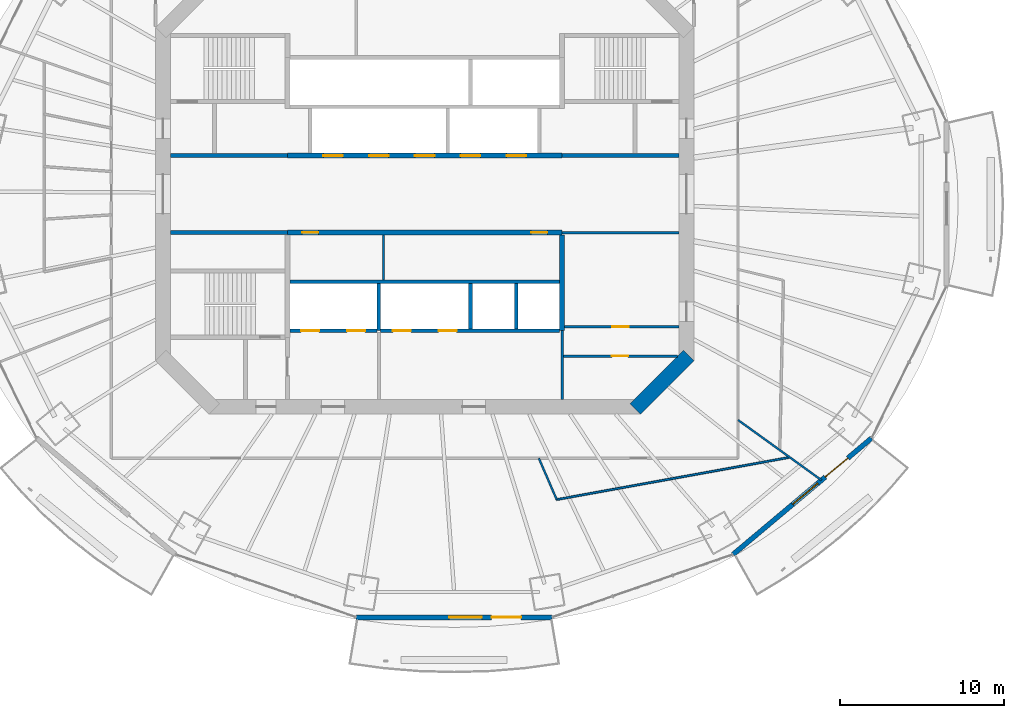
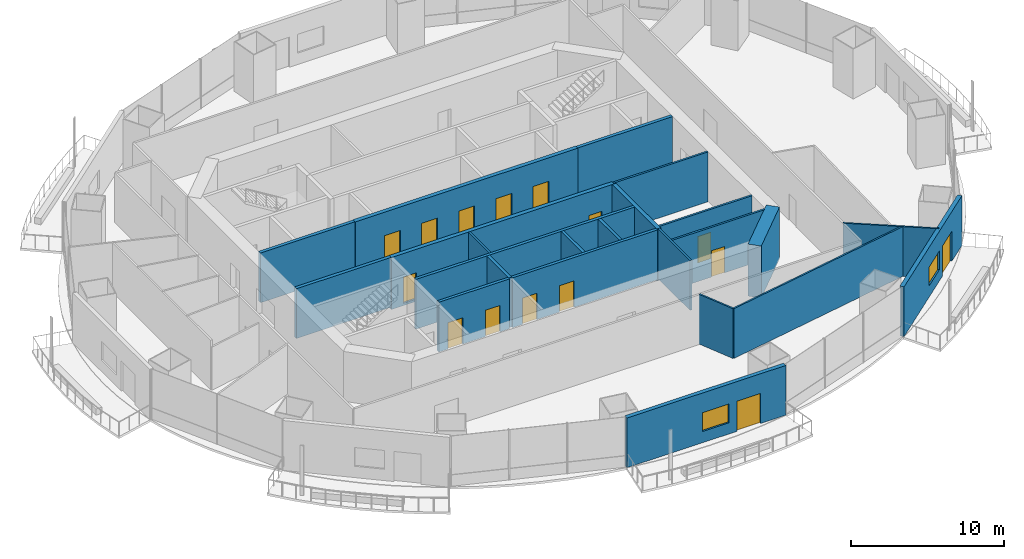
# One storey, part 11 of 19: 23 walls, 15 doors, 2 windows, 17 openings.
"""IFC4 building model written with IfcOpenShell, lengths in metres."""

from ifc_helpers import new_model, si_unit, direction, frame, frame_2d, origin, place, context, subcontext, project, spatial, rectangle, extrude, material, layer, layer_set, type_object, element, fill, save


model = new_model("IFC4")

# Units and contexts
model_context = context("Model", 3, precision=1e-05, world=origin(), true_north=direction((0.0, 1.0)))
body_context = subcontext(model_context, "Body", "Model", "MODEL_VIEW")
ifc_project = project(units=[si_unit("LENGTHUNIT", "METRE"), si_unit("AREAUNIT", "SQUARE_METRE"), si_unit("VOLUMEUNIT", "CUBIC_METRE"), si_unit("PLANEANGLEUNIT", "RADIAN"), si_unit("MASSUNIT", "GRAM", prefix="KILO")], contexts=[model_context])

# Site, building, storey
site_placement = place(None, origin())
site = spatial("IfcSite", under=ifc_project, at=site_placement, CompositionType="ELEMENT")
building_placement = place(site_placement, origin())
building = spatial("IfcBuilding", under=site, at=building_placement, Name="Marenthal Gate Tower", CompositionType="ELEMENT")
storey_placement = place(building_placement, frame((0.0, 0.0, 223.300048828125)))
storey = spatial("IfcBuildingStorey", under=building, at=storey_placement, Name="L49", CompositionType="ELEMENT", Elevation=223.300048828125)

# Wall
ifc_material_1 = material(Name="Concrete 60 MPa", Category="concrete")
ifc_layer_1 = layer(ifc_material_1, 0.89990234375)
ifc_layer_set_1 = layer_set([ifc_layer_1], Name="Core shear wall 900")
wall_type_1 = type_object("IfcWallType", Name="Core shear wall 900", PredefinedType="SHEAR", material=ifc_layer_set_1)
wall_1_placement = place(storey_placement, frame((12.8681640625, -13.1318359375, -0.179931640625), z_axis=(0.0, 0.0, 1.0), x_axis=(0.707106781187, 0.707106781187, 0.0)))
element("IfcWall", 1, at=wall_1_placement, inside=storey, type_object=wall_type_1, Name="Core wall 01", PredefinedType="SHEAR", context=body_context, shape_type="SweptSolid", body=[
    extrude(rectangle(XDim=4.615478515625, YDim=0.89990234375, at=frame_2d((2.3076171875, 0.0))), origin(), (0.0, 0.0, 1.0), 4.14990234375),
])

# Wall, openings, doors
ifc_material_2 = material(Name="Concrete 50 MPa", Category="concrete")
ifc_layer_2 = layer(ifc_material_2, 0.300048828125)
ifc_layer_set_2 = layer_set([ifc_layer_2], Name="Hoistway shear wall 300")
wall_type_2 = type_object("IfcWallType", Name="Hoistway shear wall 300", PredefinedType="SHEAR", material=ifc_layer_set_2)
wall_2_placement = place(storey_placement, frame((-8.39990234375, -2.35009765625, -0.179931640625), z_axis=(0.0, 0.0, 1.0), x_axis=(1.0, 0.0, 0.0)))
wall_2 = element("IfcWall", 2, at=wall_2_placement, inside=storey, type_object=wall_type_2, Name="Hoistway wall 17", PredefinedType="SHEAR", context=body_context, shape_type="SweptSolid", body=[
    extrude(rectangle(XDim=16.7998046875, YDim=0.300048828125, at=frame_2d((8.39990234375, 0.0))), origin(), (0.0, 0.0, 1.0), 4.14990234375),
])
opening_1_placement = place(wall_2_placement, frame((0.89990234375, 0.0, 0.179931640625)))
opening_1 = element("IfcOpeningElement", 3, at=opening_1_placement, cuts=wall_2, Name="Opening D005.01", PredefinedType="OPENING", context=body_context, shape_type="SweptSolid", body=[
    extrude(rectangle(XDim=1.0, YDim=2.10009765625, at=frame_2d((0.5, 1.050048828125))), frame((0.0, 0.16015625, 0.0), z_axis=(0.0, -1.0, 0.0), x_axis=(1.0, 0.0, 0.0)), (0.0, 0.0, 1.0), 0.320068359375),
])
opening_2_placement = place(wall_2_placement, frame((14.89990234375, 0.0, 0.179931640625)))
opening_2 = element("IfcOpeningElement", 4, at=opening_2_placement, cuts=wall_2, Name="Opening D005.02", PredefinedType="OPENING", context=body_context, shape_type="SweptSolid", body=[
    extrude(rectangle(XDim=1.0, YDim=2.10009765625, at=frame_2d((0.5, 1.050048828125))), frame((0.0, 0.16015625, 0.0), z_axis=(0.0, -1.0, 0.0), x_axis=(1.0, 0.0, 0.0)), (0.0, 0.0, 1.0), 0.320068359375),
])
ifc_material_3 = material(Name="Steel fire door", Category="steel")
door_type_1 = type_object("IfcDoorType", Name="Fire door FD 45 1000 x 2100", OperationType="NOTDEFINED", PredefinedType="DOOR", material=ifc_material_3)
door_1_placement = place(opening_1_placement, frame((1.0, 0.0, 0.0), z_axis=(0.0, 0.0, 1.0), x_axis=(-1.0, 0.0, 0.0)))
door_1 = element("IfcDoor", 5, at=door_1_placement, inside=storey, type_object=door_type_1, Name="Door D005.01", OperationType="SINGLE_SWING_LEFT", OverallHeight=2.10009765625, OverallWidth=1.0, PredefinedType="DOOR", context=body_context, shape_type="SweptSolid", body=[
    extrude(rectangle(XDim=1.0, YDim=2.10009765625, at=frame_2d((0.5, 1.050048828125))), frame((0.0, 0.02490234375, 0.0), z_axis=(0.0, -1.0, 0.0), x_axis=(1.0, 0.0, 0.0)), (0.0, 0.0, 1.0), 0.050048828125),
])
fill(opening_1, door_1)
door_2_placement = place(opening_2_placement, frame((1.0, 0.0, 0.0), z_axis=(0.0, 0.0, 1.0), x_axis=(-1.0, 0.0, 0.0)))
door_2 = element("IfcDoor", 6, at=door_2_placement, inside=storey, type_object=door_type_1, Name="Door D005.02", OperationType="SINGLE_SWING_LEFT", OverallHeight=2.10009765625, OverallWidth=1.0, PredefinedType="DOOR", context=body_context, shape_type="SweptSolid", body=[
    extrude(rectangle(XDim=1.0, YDim=2.10009765625, at=frame_2d((0.5, 1.050048828125))), frame((0.0, 0.02490234375, 0.0), z_axis=(0.0, -1.0, 0.0), x_axis=(1.0, 0.0, 0.0)), (0.0, 0.0, 1.0), 0.050048828125),
])
fill(opening_2, door_2)

wall_3_placement = place(storey_placement, frame((-8.39990234375, 2.35009765625, -0.179931640625), z_axis=(0.0, 0.0, 1.0), x_axis=(1.0, 0.0, 0.0)))
wall_3 = element("IfcWall", 7, at=wall_3_placement, inside=storey, type_object=wall_type_2, Name="Hoistway wall 20", PredefinedType="SHEAR", context=body_context, shape_type="SweptSolid", body=[
    extrude(rectangle(XDim=16.7998046875, YDim=0.300048828125, at=frame_2d((8.39990234375, 0.0))), origin(), (0.0, 0.0, 1.0), 4.14990234375),
])
opening_3_placement = place(wall_3_placement, frame((2.199951171875, 0.0, 0.179931640625)))
opening_3 = element("IfcOpeningElement", 8, at=opening_3_placement, cuts=wall_3, Name="Opening LD-MP1", PredefinedType="OPENING", context=body_context, shape_type="SweptSolid", body=[
    extrude(rectangle(XDim=1.199951171875, YDim=2.10009765625, at=frame_2d((0.60009765625, 1.050048828125))), frame((0.0, 0.16015625, 0.0), z_axis=(0.0, -1.0, 0.0), x_axis=(1.0, 0.0, 0.0)), (0.0, 0.0, 1.0), 0.320068359375),
])
opening_4_placement = place(wall_3_placement, frame((5.0, 0.0, 0.179931640625)))
opening_4 = element("IfcOpeningElement", 9, at=opening_4_placement, cuts=wall_3, Name="Opening LD-MP2", PredefinedType="OPENING", context=body_context, shape_type="SweptSolid", body=[
    extrude(rectangle(XDim=1.199951171875, YDim=2.10009765625, at=frame_2d((0.60009765625, 1.050048828125))), frame((0.0, 0.16015625, 0.0), z_axis=(0.0, -1.0, 0.0), x_axis=(1.0, 0.0, 0.0)), (0.0, 0.0, 1.0), 0.320068359375),
])
opening_5_placement = place(wall_3_placement, frame((7.800048828125, 0.0, 0.179931640625)))
opening_5 = element("IfcOpeningElement", 10, at=opening_5_placement, cuts=wall_3, Name="Opening LD-MP3", PredefinedType="OPENING", context=body_context, shape_type="SweptSolid", body=[
    extrude(rectangle(XDim=1.199951171875, YDim=2.10009765625, at=frame_2d((0.60009765625, 1.050048828125))), frame((0.0, 0.16015625, 0.0), z_axis=(0.0, -1.0, 0.0), x_axis=(1.0, 0.0, 0.0)), (0.0, 0.0, 1.0), 0.320068359375),
])
opening_6_placement = place(wall_3_placement, frame((10.60009765625, 0.0, 0.179931640625)))
opening_6 = element("IfcOpeningElement", 11, at=opening_6_placement, cuts=wall_3, Name="Opening LD-MP4", PredefinedType="OPENING", context=body_context, shape_type="SweptSolid", body=[
    extrude(rectangle(XDim=1.199951171875, YDim=2.10009765625, at=frame_2d((0.60009765625, 1.050048828125))), frame((0.0, 0.16015625, 0.0), z_axis=(0.0, -1.0, 0.0), x_axis=(1.0, 0.0, 0.0)), (0.0, 0.0, 1.0), 0.320068359375),
])
opening_7_placement = place(wall_3_placement, frame((13.39990234375, 0.0, 0.179931640625)))
opening_7 = element("IfcOpeningElement", 12, at=opening_7_placement, cuts=wall_3, Name="Opening LD-MP5", PredefinedType="OPENING", context=body_context, shape_type="SweptSolid", body=[
    extrude(rectangle(XDim=1.199951171875, YDim=2.10009765625, at=frame_2d((0.60009765625, 1.050048828125))), frame((0.0, 0.16015625, 0.0), z_axis=(0.0, -1.0, 0.0), x_axis=(1.0, 0.0, 0.0)), (0.0, 0.0, 1.0), 0.320068359375),
])
ifc_material_4 = material(Name="Stainless steel sliding door", Category="steel")
door_type_2 = type_object("IfcDoorType", Name="Lift landing door FD 90 1200 x 2100", OperationType="DOUBLE_DOOR_SLIDING", PredefinedType="DOOR", material=ifc_material_4)
door_3_placement = place(opening_3_placement, origin())
door_3 = element("IfcDoor", 13, at=door_3_placement, inside=storey, type_object=door_type_2, Name="Lift landing door MP1", OperationType="DOUBLE_DOOR_SLIDING", OverallHeight=2.10009765625, OverallWidth=1.199951171875, PredefinedType="DOOR", context=body_context, shape_type="SweptSolid", body=[
    extrude(rectangle(XDim=1.199951171875, YDim=2.10009765625, at=frame_2d((0.60009765625, 1.050048828125))), frame((0.0, 0.02490234375, 0.0), z_axis=(0.0, -1.0, 0.0), x_axis=(1.0, 0.0, 0.0)), (0.0, 0.0, 1.0), 0.050048828125),
])
fill(opening_3, door_3)
door_4_placement = place(opening_4_placement, origin())
door_4 = element("IfcDoor", 14, at=door_4_placement, inside=storey, type_object=door_type_2, Name="Lift landing door MP2", OperationType="DOUBLE_DOOR_SLIDING", OverallHeight=2.10009765625, OverallWidth=1.199951171875, PredefinedType="DOOR", context=body_context, shape_type="SweptSolid", body=[
    extrude(rectangle(XDim=1.199951171875, YDim=2.10009765625, at=frame_2d((0.60009765625, 1.050048828125))), frame((0.0, 0.02490234375, 0.0), z_axis=(0.0, -1.0, 0.0), x_axis=(1.0, 0.0, 0.0)), (0.0, 0.0, 1.0), 0.050048828125),
])
fill(opening_4, door_4)
door_5_placement = place(opening_5_placement, origin())
door_5 = element("IfcDoor", 15, at=door_5_placement, inside=storey, type_object=door_type_2, Name="Lift landing door MP3", OperationType="DOUBLE_DOOR_SLIDING", OverallHeight=2.10009765625, OverallWidth=1.199951171875, PredefinedType="DOOR", context=body_context, shape_type="SweptSolid", body=[
    extrude(rectangle(XDim=1.199951171875, YDim=2.10009765625, at=frame_2d((0.60009765625, 1.050048828125))), frame((0.0, 0.02490234375, 0.0), z_axis=(0.0, -1.0, 0.0), x_axis=(1.0, 0.0, 0.0)), (0.0, 0.0, 1.0), 0.050048828125),
])
fill(opening_5, door_5)
door_6_placement = place(opening_6_placement, origin())
door_6 = element("IfcDoor", 16, at=door_6_placement, inside=storey, type_object=door_type_2, Name="Lift landing door MP4", OperationType="DOUBLE_DOOR_SLIDING", OverallHeight=2.10009765625, OverallWidth=1.199951171875, PredefinedType="DOOR", context=body_context, shape_type="SweptSolid", body=[
    extrude(rectangle(XDim=1.199951171875, YDim=2.10009765625, at=frame_2d((0.60009765625, 1.050048828125))), frame((0.0, 0.02490234375, 0.0), z_axis=(0.0, -1.0, 0.0), x_axis=(1.0, 0.0, 0.0)), (0.0, 0.0, 1.0), 0.050048828125),
])
fill(opening_6, door_6)
door_7_placement = place(opening_7_placement, origin())
door_7 = element("IfcDoor", 17, at=door_7_placement, inside=storey, type_object=door_type_2, Name="Lift landing door MP5", OperationType="DOUBLE_DOOR_SLIDING", OverallHeight=2.10009765625, OverallWidth=1.199951171875, PredefinedType="DOOR", context=body_context, shape_type="SweptSolid", body=[
    extrude(rectangle(XDim=1.199951171875, YDim=2.10009765625, at=frame_2d((0.60009765625, 1.050048828125))), frame((0.0, 0.02490234375, 0.0), z_axis=(0.0, -1.0, 0.0), x_axis=(1.0, 0.0, 0.0)), (0.0, 0.0, 1.0), 0.050048828125),
])
fill(opening_7, door_7)

# Wall
wall_4_placement = place(storey_placement, frame((8.39990234375, -8.35009765625, -0.179931640625), z_axis=(0.0, 0.0, 1.0), x_axis=(0.0, 1.0, 0.0)))
element("IfcWall", 18, at=wall_4_placement, inside=storey, type_object=wall_type_2, Name="Hoistway wall 45", PredefinedType="SHEAR", context=body_context, shape_type="SweptSolid", body=[
    extrude(rectangle(XDim=5.85009765625, YDim=0.300048828125, at=frame_2d((2.925048828125, 0.0))), origin(), (0.0, 0.0, 1.0), 4.14990234375),
])

# Wall, openings, doors
ifc_material_5 = material(Name="Concrete 40 MPa", Category="concrete")
ifc_layer_3 = layer(ifc_material_5, 0.219970703125)
ifc_layer_set_3 = layer_set([ifc_layer_3], Name="Hoistway wall 220")
wall_type_3 = type_object("IfcWallType", Name="Hoistway wall 220", PredefinedType="STANDARD", material=ifc_layer_set_3)
wall_5_placement = place(storey_placement, frame((-8.25, -8.35009765625, 0.0), z_axis=(0.0, 0.0, 1.0), x_axis=(1.0, 0.0, 0.0)))
wall_5 = element("IfcWall", 19, at=wall_5_placement, inside=storey, type_object=wall_type_3, Name="Hoistway wall 11", PredefinedType="STANDARD", context=body_context, shape_type="SweptSolid", body=[
    extrude(rectangle(XDim=5.340087890625, YDim=0.219970703125, at=frame_2d((2.669921875, 0.0))), origin(), (0.0, 0.0, 1.0), 3.969970703125),
])
opening_8_placement = place(wall_5_placement, frame((0.699951171875, 0.0, 0.0)))
opening_8 = element("IfcOpeningElement", 20, at=opening_8_placement, cuts=wall_5, Name="Opening LD-LF1", PredefinedType="OPENING", context=body_context, shape_type="SweptSolid", body=[
    extrude(rectangle(XDim=1.10009765625, YDim=2.10009765625, at=frame_2d((0.550048828125, 1.050048828125))), frame((0.0, 0.1201171875, 0.0), z_axis=(0.0, -1.0, 0.0), x_axis=(1.0, 0.0, 0.0)), (0.0, 0.0, 1.0), 0.239990234375),
])
opening_9_placement = place(wall_5_placement, frame((3.5, 0.0, 0.0)))
opening_9 = element("IfcOpeningElement", 21, at=opening_9_placement, cuts=wall_5, Name="Opening LD-LF2", PredefinedType="OPENING", context=body_context, shape_type="SweptSolid", body=[
    extrude(rectangle(XDim=1.10009765625, YDim=2.10009765625, at=frame_2d((0.550048828125, 1.050048828125))), frame((0.0, 0.1201171875, 0.0), z_axis=(0.0, -1.0, 0.0), x_axis=(1.0, 0.0, 0.0)), (0.0, 0.0, 1.0), 0.239990234375),
])
ifc_material_6 = material(Name="Stainless steel sliding door", Category="steel")
door_type_3 = type_object("IfcDoorType", Name="Lift landing door FD 90 1100 x 2100", OperationType="DOUBLE_DOOR_SLIDING", PredefinedType="DOOR", material=ifc_material_6)
door_8_placement = place(opening_8_placement, origin())
door_8 = element("IfcDoor", 22, at=door_8_placement, inside=storey, type_object=door_type_3, Name="Lift landing door LF1", OperationType="DOUBLE_DOOR_SLIDING", OverallHeight=2.10009765625, OverallWidth=1.10009765625, PredefinedType="DOOR", context=body_context, shape_type="SweptSolid", body=[
    extrude(rectangle(XDim=1.10009765625, YDim=2.10009765625, at=frame_2d((0.550048828125, 1.050048828125))), frame((0.0, 0.02490234375, 0.0), z_axis=(0.0, -1.0, 0.0), x_axis=(1.0, 0.0, 0.0)), (0.0, 0.0, 1.0), 0.050048828125),
])
fill(opening_8, door_8)
door_9_placement = place(opening_9_placement, origin())
door_9 = element("IfcDoor", 23, at=door_9_placement, inside=storey, type_object=door_type_3, Name="Lift landing door LF2", OperationType="DOUBLE_DOOR_SLIDING", OverallHeight=2.10009765625, OverallWidth=1.10009765625, PredefinedType="DOOR", context=body_context, shape_type="SweptSolid", body=[
    extrude(rectangle(XDim=1.10009765625, YDim=2.10009765625, at=frame_2d((0.550048828125, 1.050048828125))), frame((0.0, 0.02490234375, 0.0), z_axis=(0.0, -1.0, 0.0), x_axis=(1.0, 0.0, 0.0)), (0.0, 0.0, 1.0), 0.050048828125),
])
fill(opening_9, door_9)

wall_6_placement = place(storey_placement, frame((-2.68994140625, -8.35009765625, 0.0), z_axis=(0.0, 0.0, 1.0), x_axis=(1.0, 0.0, 0.0)))
wall_6 = element("IfcWall", 24, at=wall_6_placement, inside=storey, type_object=wall_type_3, Name="Hoistway wall 12", PredefinedType="STANDARD", context=body_context, shape_type="SweptSolid", body=[
    extrude(rectangle(XDim=10.93994140625, YDim=0.219970703125, at=frame_2d((5.469970703125, 0.0))), origin(), (0.0, 0.0, 1.0), 3.969970703125),
])
opening_10_placement = place(wall_6_placement, frame((0.739990234375, 0.0, 0.0)))
opening_10 = element("IfcOpeningElement", 25, at=opening_10_placement, cuts=wall_6, Name="Opening LD-SV1", PredefinedType="OPENING", context=body_context, shape_type="SweptSolid", body=[
    extrude(rectangle(XDim=1.10009765625, YDim=2.10009765625, at=frame_2d((0.550048828125, 1.050048828125))), frame((0.0, 0.1201171875, 0.0), z_axis=(0.0, -1.0, 0.0), x_axis=(1.0, 0.0, 0.0)), (0.0, 0.0, 1.0), 0.239990234375),
])
opening_11_placement = place(wall_6_placement, frame((3.5400390625, 0.0, 0.0)))
opening_11 = element("IfcOpeningElement", 26, at=opening_11_placement, cuts=wall_6, Name="Opening LD-SV2", PredefinedType="OPENING", context=body_context, shape_type="SweptSolid", body=[
    extrude(rectangle(XDim=1.10009765625, YDim=2.10009765625, at=frame_2d((0.550048828125, 1.050048828125))), frame((0.0, 0.1201171875, 0.0), z_axis=(0.0, -1.0, 0.0), x_axis=(1.0, 0.0, 0.0)), (0.0, 0.0, 1.0), 0.239990234375),
])
door_10_placement = place(opening_10_placement, origin())
door_10 = element("IfcDoor", 27, at=door_10_placement, inside=storey, type_object=door_type_3, Name="Lift landing door SV1", OperationType="DOUBLE_DOOR_SLIDING", OverallHeight=2.10009765625, OverallWidth=1.10009765625, PredefinedType="DOOR", context=body_context, shape_type="SweptSolid", body=[
    extrude(rectangle(XDim=1.10009765625, YDim=2.10009765625, at=frame_2d((0.550048828125, 1.050048828125))), frame((0.0, 0.02490234375, 0.0), z_axis=(0.0, -1.0, 0.0), x_axis=(1.0, 0.0, 0.0)), (0.0, 0.0, 1.0), 0.050048828125),
])
fill(opening_10, door_10)
door_11_placement = place(opening_11_placement, origin())
door_11 = element("IfcDoor", 28, at=door_11_placement, inside=storey, type_object=door_type_3, Name="Lift landing door SV2", OperationType="DOUBLE_DOOR_SLIDING", OverallHeight=2.10009765625, OverallWidth=1.10009765625, PredefinedType="DOOR", context=body_context, shape_type="SweptSolid", body=[
    extrude(rectangle(XDim=1.10009765625, YDim=2.10009765625, at=frame_2d((0.550048828125, 1.050048828125))), frame((0.0, 0.02490234375, 0.0), z_axis=(0.0, -1.0, 0.0), x_axis=(1.0, 0.0, 0.0)), (0.0, 0.0, 1.0), 0.050048828125),
])
fill(opening_11, door_11)

# Walls
wall_7_placement = place(storey_placement, frame((-8.25, -5.35009765625, 0.0), z_axis=(0.0, 0.0, 1.0), x_axis=(1.0, 0.0, 0.0)))
element("IfcWall", 29, at=wall_7_placement, inside=storey, type_object=wall_type_3, Name="Hoistway wall 14", PredefinedType="STANDARD", context=body_context, shape_type="SweptSolid", body=[
    extrude(rectangle(XDim=16.5, YDim=0.219970703125, at=frame_2d((8.25, 0.0))), origin(), (0.0, 0.0, 1.0), 3.969970703125),
])
wall_8_placement = place(storey_placement, frame((-2.800048828125, -8.35009765625, 0.0), z_axis=(0.0, 0.0, 1.0), x_axis=(0.0, 1.0, 0.0)))
element("IfcWall", 30, at=wall_8_placement, inside=storey, type_object=wall_type_3, Name="Hoistway wall 37", PredefinedType="STANDARD", context=body_context, shape_type="SweptSolid", body=[
    extrude(rectangle(XDim=2.89013671875, YDim=0.219970703125, at=frame_2d((1.445068359375, 0.0))), origin(), (0.0, 0.0, 1.0), 3.969970703125),
])
for number, where, z_axis, x_axis, name in (
    (31, (2.800048828125, -8.239990234375, 0.0), (0.0, 0.0, 1.0), (0.0, 1.0, 0.0), "Hoistway wall 40"),
    (32, (5.60009765625, -8.239990234375, 0.0), (0.0, 0.0, 1.0), (0.0, 1.0, 0.0), "Hoistway wall 42"),
):
    element("IfcWall", number, at=place(storey_placement, frame(where, z_axis=z_axis, x_axis=x_axis)), inside=storey, type_object=wall_type_3, Name=name, PredefinedType="STANDARD", context=body_context, shape_type="SweptSolid", body=[
        extrude(rectangle(XDim=2.780029296875, YDim=0.219970703125, at=frame_2d((1.39013671875, 0.0))), origin(), (0.0, 0.0, 1.0), 3.969970703125),
    ])
ifc_material_7 = material(Name="Gypsum board on steel studs", Category="steel")
ifc_layer_4 = layer(ifc_material_7, 0.1201171875)
ifc_layer_set_4 = layer_set([ifc_layer_4], Name="Partition 120")
wall_type_4 = type_object("IfcWallType", Name="Partition 120", PredefinedType="PARTITIONING", material=ifc_layer_set_4)
wall_9_placement = place(storey_placement, frame((8.06640625, -18.672607421875, 0.0), z_axis=(0.0, 0.0, 1.0), x_axis=(0.983945089575, 0.178471456263, 0.0)))
element("IfcWall", 33, at=wall_9_placement, inside=storey, type_object=wall_type_4, Name="Partition wall 60", PredefinedType="PARTITIONING", context=body_context, shape_type="SweptSolid", body=[
    extrude(rectangle(XDim=14.479736328125, YDim=0.1201171875, at=frame_2d((7.23974609375, 0.0))), origin(), (0.0, 0.0, 1.0), 3.969970703125),
])
wall_10_placement = place(storey_placement, frame((8.06640625, -18.672607421875, 0.0), z_axis=(0.0, 0.0, 1.0), x_axis=(-0.39651259826, 0.918029280264, 0.0)))
element("IfcWall", 34, at=wall_10_placement, inside=storey, type_object=wall_type_4, Name="Partition wall 61", PredefinedType="PARTITIONING", context=body_context, shape_type="SweptSolid", body=[
    extrude(rectangle(XDim=2.748046875, YDim=0.1201171875, at=frame_2d((1.3740234375, 0.0))), origin(), (0.0, 0.0, 1.0), 3.969970703125),
])
wall_11_placement = place(storey_placement, frame((19.14990234375, -13.807373046875, 0.0), z_axis=(0.0, 0.0, 1.0), x_axis=(0.811160965087, -0.584822955021, 0.0)))
element("IfcWall", 35, at=wall_11_placement, inside=storey, type_object=wall_type_4, Name="Partition wall 65", PredefinedType="PARTITIONING", context=body_context, shape_type="SweptSolid", body=[
    extrude(rectangle(XDim=6.290771484375, YDim=0.1201171875, at=frame_2d((3.1455078125, 0.0))), origin(), (0.0, 0.0, 1.0), 3.969970703125),
])

# Wall, opening, door
ifc_material_8 = material(Name="Gypsum board on steel studs", Category="steel")
ifc_layer_5 = layer(ifc_material_8, 0.14990234375)
ifc_layer_set_5 = layer_set([ifc_layer_5], Name="Partition 150")
wall_type_5 = type_object("IfcWallType", Name="Partition 150", PredefinedType="PARTITIONING", material=ifc_layer_set_5)
wall_12_placement = place(storey_placement, frame((8.47509765625, -9.89990234375, 0.0), z_axis=(0.0, 0.0, 1.0), x_axis=(1.0, 0.0, 0.0)))
wall_12 = element("IfcWall", 36, at=wall_12_placement, inside=storey, type_object=wall_type_5, Name="Partition wall 09", PredefinedType="PARTITIONING", context=body_context, shape_type="SweptSolid", body=[
    extrude(rectangle(XDim=6.988525390625, YDim=0.14990234375, at=frame_2d((3.494140625, 0.0))), origin(), (0.0, 0.0, 1.0), 3.969970703125),
])
opening_12_placement = place(wall_12_placement, frame((2.956787109375, 0.0, 0.0)))
opening_12 = element("IfcOpeningElement", 37, at=opening_12_placement, cuts=wall_12, Name="Opening D005.06", PredefinedType="OPENING", context=body_context, shape_type="SweptSolid", body=[
    extrude(rectangle(XDim=1.0, YDim=2.10009765625, at=frame_2d((0.5, 1.050048828125))), frame((0.0, 0.0849609375, 0.0), z_axis=(0.0, -1.0, 0.0), x_axis=(1.0, 0.0, 0.0)), (0.0, 0.0, 1.0), 0.169921875),
])
door_12_placement = place(opening_12_placement, frame((1.0, 0.0, 0.0), z_axis=(0.0, 0.0, 1.0), x_axis=(-1.0, 0.0, 0.0)))
door_12 = element("IfcDoor", 38, at=door_12_placement, inside=storey, type_object=door_type_1, Name="Door D005.06", OperationType="SINGLE_SWING_LEFT", OverallHeight=2.10009765625, OverallWidth=1.0, PredefinedType="DOOR", context=body_context, shape_type="SweptSolid", body=[
    extrude(rectangle(XDim=1.0, YDim=2.10009765625, at=frame_2d((0.5, 1.050048828125))), frame((0.0, 0.02490234375, 0.0), z_axis=(0.0, -1.0, 0.0), x_axis=(1.0, 0.0, 0.0)), (0.0, 0.0, 1.0), 0.050048828125),
])
fill(opening_12, door_12)

wall_13_placement = place(storey_placement, frame((8.550048828125, -8.10009765625, 0.0), z_axis=(0.0, 0.0, 1.0), x_axis=(1.0, 0.0, 0.0)))
wall_13 = element("IfcWall", 39, at=wall_13_placement, inside=storey, type_object=wall_type_5, Name="Partition wall 13", PredefinedType="PARTITIONING", context=body_context, shape_type="SweptSolid", body=[
    extrude(rectangle(XDim=7.0, YDim=0.14990234375, at=frame_2d((3.5, 0.0))), origin(), (0.0, 0.0, 1.0), 3.969970703125),
])
opening_13_placement = place(wall_13_placement, frame((2.925048828125, 0.0, 0.0)))
opening_13 = element("IfcOpeningElement", 40, at=opening_13_placement, cuts=wall_13, Name="Opening D005.05", PredefinedType="OPENING", context=body_context, shape_type="SweptSolid", body=[
    extrude(rectangle(XDim=1.0, YDim=2.10009765625, at=frame_2d((0.5, 1.050048828125))), frame((0.0, 0.0849609375, 0.0), z_axis=(0.0, -1.0, 0.0), x_axis=(1.0, 0.0, 0.0)), (0.0, 0.0, 1.0), 0.169921875),
])
door_13_placement = place(opening_13_placement, origin())
door_13 = element("IfcDoor", 41, at=door_13_placement, inside=storey, type_object=door_type_1, Name="Door D005.05", OperationType="SINGLE_SWING_RIGHT", OverallHeight=2.10009765625, OverallWidth=1.0, PredefinedType="DOOR", context=body_context, shape_type="SweptSolid", body=[
    extrude(rectangle(XDim=1.0, YDim=2.10009765625, at=frame_2d((0.5, 1.050048828125))), frame((0.0, 0.02490234375, 0.0), z_axis=(0.0, -1.0, 0.0), x_axis=(1.0, 0.0, 0.0)), (0.0, 0.0, 1.0), 0.050048828125),
])
fill(opening_13, door_13)

# Walls
wall_14_placement = place(storey_placement, frame((8.39990234375, -2.35009765625, 0.0), z_axis=(0.0, 0.0, 1.0), x_axis=(1.0, 0.0, 0.0)))
element("IfcWall", 42, at=wall_14_placement, inside=storey, type_object=wall_type_5, Name="Partition wall 18", PredefinedType="PARTITIONING", context=body_context, shape_type="SweptSolid", body=[
    extrude(rectangle(XDim=7.150146484375, YDim=0.14990234375, at=frame_2d((3.5751953125, 0.0))), origin(), (0.0, 0.0, 1.0), 3.969970703125),
])
wall_15_placement = place(storey_placement, frame((-2.52001953125, -5.239990234375, 0.0), z_axis=(0.0, 0.0, 1.0), x_axis=(0.0, 1.0, 0.0)))
element("IfcWall", 43, at=wall_15_placement, inside=storey, type_object=wall_type_5, Name="Partition wall 38", PredefinedType="PARTITIONING", context=body_context, shape_type="SweptSolid", body=[
    extrude(rectangle(XDim=2.739990234375, YDim=0.14990234375, at=frame_2d((1.3701171875, 0.0))), origin(), (0.0, 0.0, 1.0), 3.969970703125),
])
wall_16_placement = place(storey_placement, frame((8.39990234375, -12.550048828125, 0.0), z_axis=(0.0, 0.0, 1.0), x_axis=(0.0, 1.0, 0.0)))
element("IfcWall", 44, at=wall_16_placement, inside=storey, type_object=wall_type_5, Name="Partition wall 44", PredefinedType="PARTITIONING", context=body_context, shape_type="SweptSolid", body=[
    extrude(rectangle(XDim=4.199951171875, YDim=0.14990234375, at=frame_2d((2.10009765625, 0.0))), origin(), (0.0, 0.0, 1.0), 3.969970703125),
])
ifc_material_9 = material(Name="Concrete 40 MPa", Category="concrete")
ifc_layer_6 = layer(ifc_material_9, 0.25)
ifc_layer_set_6 = layer_set([ifc_layer_6], Name="Stair enclosure wall 250")
wall_type_6 = type_object("IfcWallType", Name="Stair enclosure wall 250", PredefinedType="STANDARD", material=ifc_layer_set_6)
for number, where, z_axis, x_axis, name in (
    (45, (-15.550048828125, -2.35009765625, 0.0), (0.0, 0.0, 1.0), (1.0, 0.0, 0.0), "Stair wall 16"),
    (46, (-15.550048828125, 2.35009765625, 0.0), (0.0, 0.0, 1.0), (1.0, 0.0, 0.0), "Stair wall 19"),
    (47, (8.39990234375, 2.35009765625, 0.0), (0.0, 0.0, 1.0), (1.0, 0.0, 0.0), "Stair wall 21"),
):
    element("IfcWall", number, at=place(storey_placement, frame(where, z_axis=z_axis, x_axis=x_axis)), inside=storey, type_object=wall_type_6, Name=name, PredefinedType="STANDARD", context=body_context, shape_type="SweptSolid", body=[
        extrude(rectangle(XDim=7.150146484375, YDim=0.25, at=frame_2d((3.5751953125, 0.0))), origin(), (0.0, 0.0, 1.0), 3.969970703125),
    ])

# Wall, openings, door, window
ifc_material_10 = material(Name="Terracotta cladding on insulated concrete-block backing", Category="masonry")
ifc_layer_7 = layer(ifc_material_10, 0.300048828125)
ifc_layer_set_7 = layer_set([ifc_layer_7], Name="Terracotta facade wall 300")
wall_type_7 = type_object("IfcWallType", Name="Terracotta facade wall 300", PredefinedType="SOLIDWALL", material=ifc_layer_set_7)
wall_17_placement = place(storey_placement, frame((-4.18701171875, -25.869873046875, 0.0), z_axis=(0.0, 0.0, 1.0), x_axis=(1.0, 0.0, 0.0)))
wall_17 = element("IfcWall", 48, at=wall_17_placement, inside=storey, type_object=wall_type_7, Name="Terracotta facade wall L49 bay 12", PredefinedType="SOLIDWALL", context=body_context, shape_type="SweptSolid", body=[
    extrude(rectangle(XDim=11.973876953125, YDim=0.300048828125, at=frame_2d((5.98681640625, 0.0))), origin(), (0.0, 0.0, 1.0), 3.969970703125),
])
opening_14_placement = place(wall_17_placement, frame((8.273681640625, 0.0, 0.0)))
opening_14 = element("IfcOpeningElement", 49, at=opening_14_placement, cuts=wall_17, Name="Opening BD-L49-12", PredefinedType="OPENING", context=body_context, shape_type="SweptSolid", body=[
    extrude(rectangle(XDim=1.800048828125, YDim=2.39990234375, at=frame_2d((0.89990234375, 1.199951171875))), frame((0.0, 0.16015625, 0.0), z_axis=(0.0, -1.0, 0.0), x_axis=(1.0, 0.0, 0.0)), (0.0, 0.0, 1.0), 0.320068359375),
])
opening_15_placement = place(wall_17_placement, frame((5.673828125, 0.0, 0.89990234375)))
opening_15 = element("IfcOpeningElement", 50, at=opening_15_placement, cuts=wall_17, Name="Opening WN2-L49-12", PredefinedType="OPENING", context=body_context, shape_type="SweptSolid", body=[
    extrude(rectangle(XDim=2.0, YDim=1.5, at=frame_2d((1.0, 0.75))), frame((0.0, 0.16015625, 0.0), z_axis=(0.0, -1.0, 0.0), x_axis=(1.0, 0.0, 0.0)), (0.0, 0.0, 1.0), 0.320068359375),
])
ifc_material_11 = material(Name="Aluminium and glass", Category="aluminium")
door_type_4 = type_object("IfcDoorType", Name="Balcony door 1800x2400", OperationType="DOUBLE_DOOR_SINGLE_SWING", PredefinedType="DOOR", material=ifc_material_11)
door_14_placement = place(opening_14_placement, origin())
door_14 = element("IfcDoor", 51, at=door_14_placement, inside=storey, type_object=door_type_4, Name="Balcony door L49 bay 12", OperationType="SINGLE_SWING_LEFT", OverallHeight=2.39990234375, OverallWidth=1.800048828125, PredefinedType="DOOR", context=body_context, shape_type="SweptSolid", body=[
    extrude(rectangle(XDim=1.800048828125, YDim=2.39990234375, at=frame_2d((0.89990234375, 1.199951171875))), frame((0.0, 0.02490234375, 0.0), z_axis=(0.0, -1.0, 0.0), x_axis=(1.0, 0.0, 0.0)), (0.0, 0.0, 1.0), 0.050048828125),
])
fill(opening_14, door_14)
ifc_material_12 = material(Name="Aluminium and glass", Category="aluminium")
window_type = type_object("IfcWindowType", Name="Window 2000x1500", PartitioningType="DOUBLE_PANEL_VERTICAL", PredefinedType="WINDOW", material=ifc_material_12)
window_1_placement = place(opening_15_placement, origin())
window_1 = element("IfcWindow", 52, at=window_1_placement, inside=storey, type_object=window_type, Name="Window L49 bay 12", OverallHeight=1.5, OverallWidth=2.0, PartitioningType="SINGLE_PANEL", PredefinedType="WINDOW", context=body_context, shape_type="SweptSolid", body=[
    extrude(rectangle(XDim=2.0, YDim=1.5, at=frame_2d((1.0, 0.75))), frame((0.0, 0.030029296875, 0.0), z_axis=(0.0, -1.0, 0.0), x_axis=(1.0, 0.0, 0.0)), (0.0, 0.0, 1.0), 0.06005859375),
])
fill(opening_15, window_1)

wall_18_placement = place(storey_placement, frame((18.849365234375, -22.022705078125, 0.0), z_axis=(0.0, 0.0, 1.0), x_axis=(0.765870158107, 0.642995257308, 0.0)))
wall_18 = element("IfcWall", 53, at=wall_18_placement, inside=storey, type_object=wall_type_7, Name="Terracotta facade wall L49 bay 14", PredefinedType="SOLIDWALL", context=body_context, shape_type="SweptSolid", body=[
    extrude(rectangle(XDim=11.05517578125, YDim=0.300048828125, at=frame_2d((5.527587890625, 0.0))), origin(), (0.0, 0.0, 1.0), 3.969970703125),
])
opening_16_placement = place(wall_18_placement, frame((7.355224609375, 0.0, 0.0)))
opening_16 = element("IfcOpeningElement", 54, at=opening_16_placement, cuts=wall_18, Name="Opening BD-L49-14", PredefinedType="OPENING", context=body_context, shape_type="SweptSolid", body=[
    extrude(rectangle(XDim=1.800048828125, YDim=2.39990234375, at=frame_2d((0.89990234375, 1.199951171875))), frame((0.0, 0.16015625, 0.0), z_axis=(0.0, -1.0, 0.0), x_axis=(1.0, 0.0, 0.0)), (0.0, 0.0, 1.0), 0.320068359375),
])
opening_17_placement = place(wall_18_placement, frame((4.755126953125, 0.0, 0.89990234375)))
opening_17 = element("IfcOpeningElement", 55, at=opening_17_placement, cuts=wall_18, Name="Opening WN2-L49-14", PredefinedType="OPENING", context=body_context, shape_type="SweptSolid", body=[
    extrude(rectangle(XDim=2.0, YDim=1.5, at=frame_2d((1.0, 0.75))), frame((0.0, 0.16015625, 0.0), z_axis=(0.0, -1.0, 0.0), x_axis=(1.0, 0.0, 0.0)), (0.0, 0.0, 1.0), 0.320068359375),
])
door_15_placement = place(opening_16_placement, origin())
door_15 = element("IfcDoor", 56, at=door_15_placement, inside=storey, type_object=door_type_4, Name="Balcony door L49 bay 14", OperationType="SINGLE_SWING_LEFT", OverallHeight=2.39990234375, OverallWidth=1.800048828125, PredefinedType="DOOR", context=body_context, shape_type="SweptSolid", body=[
    extrude(rectangle(XDim=1.800048828125, YDim=2.39990234375, at=frame_2d((0.89990234375, 1.199951171875))), frame((0.0, 0.02490234375, 0.0), z_axis=(0.0, -1.0, 0.0), x_axis=(1.0, 0.0, 0.0)), (0.0, 0.0, 1.0), 0.050048828125),
])
fill(opening_16, door_15)
window_2_placement = place(opening_17_placement, origin())
window_2 = element("IfcWindow", 57, at=window_2_placement, inside=storey, type_object=window_type, Name="Window L49 bay 14", OverallHeight=1.5, OverallWidth=2.0, PartitioningType="SINGLE_PANEL", PredefinedType="WINDOW", context=body_context, shape_type="SweptSolid", body=[
    extrude(rectangle(XDim=2.0, YDim=1.5, at=frame_2d((1.0, 0.75))), frame((0.0, 0.030029296875, 0.0), z_axis=(0.0, -1.0, 0.0), x_axis=(1.0, 0.0, 0.0)), (0.0, 0.0, 1.0), 0.06005859375),
])
fill(opening_17, window_2)

save(model, "model.ifc")
